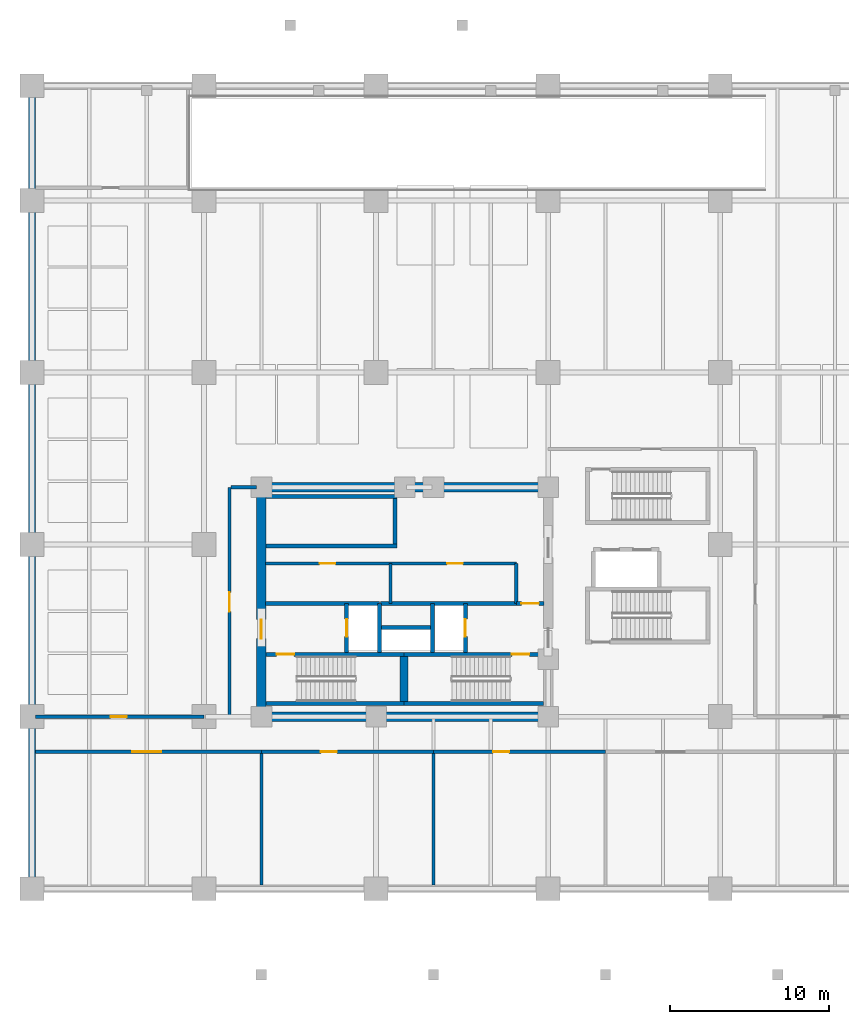
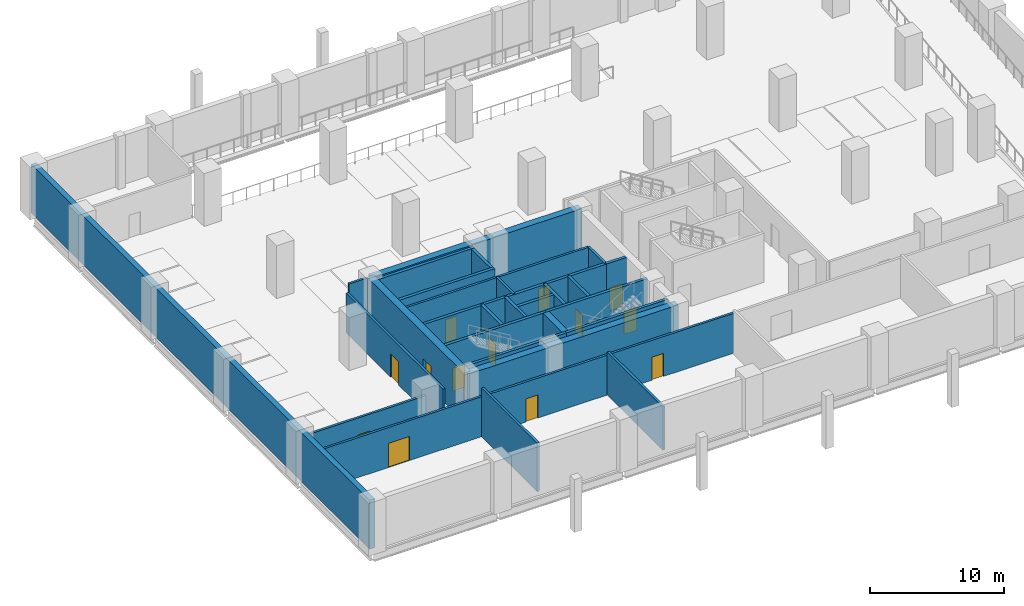
# One storey, part 3 of 8: 31 walls, 13 doors, 13 openings.
"""IFC4 building model written with IfcOpenShell, lengths in metres."""

from ifc_helpers import new_model, si_unit, direction, frame, frame_2d, origin, place, context, subcontext, project, spatial, rectangle, extrude, material, layer, layer_set, type_object, element, fill, save


model = new_model("IFC4")

# Units and contexts
model_context = context("Model", 3, precision=1e-05, world=origin(), true_north=direction((0.0, 1.0)))
body_context = subcontext(model_context, "Body", "Model", "MODEL_VIEW")
ifc_project = project(units=[si_unit("LENGTHUNIT", "METRE"), si_unit("AREAUNIT", "SQUARE_METRE"), si_unit("VOLUMEUNIT", "CUBIC_METRE"), si_unit("PLANEANGLEUNIT", "RADIAN"), si_unit("MASSUNIT", "GRAM", prefix="KILO")], contexts=[model_context])

# Site, building, storey
site_placement = place(None, origin())
site = spatial("IfcSite", under=ifc_project, at=site_placement, CompositionType="ELEMENT")
building_placement = place(site_placement, origin())
building = spatial("IfcBuilding", under=site, at=building_placement, Name="Solnavia Interchange Tower", CompositionType="ELEMENT")
storey_placement = place(building_placement, frame((0.0, 0.0, -4.800048828125)))
storey = spatial("IfcBuildingStorey", under=building, at=storey_placement, Name="B01", CompositionType="ELEMENT", Elevation=-4.800048828125)

# Wall, openings, doors
ifc_material_1 = material(Name="Concrete C40/50", Category="concrete")
ifc_layer_1 = layer(ifc_material_1, 0.199951171875)
ifc_layer_set_1 = layer_set([ifc_layer_1], Name="Concrete C40/50")
wall_type_1 = type_object("IfcWallType", Name="Wall-PlantFire-200", PredefinedType="PARTITIONING", material=ifc_layer_set_1)
wall_1_placement = place(storey_placement, frame((14.64990234375, 20.419921875, 0.0), z_axis=(0.0, 0.0, 1.0), x_axis=(1.0, 0.0, 0.0)))
wall_1 = element("IfcWall", 1, at=wall_1_placement, inside=storey, type_object=wall_type_1, Name="CSW-B01-BS1 Core shaft wall", PredefinedType="PARTITIONING", context=body_context, shape_type="SweptSolid", body=[
    extrude(rectangle(XDim=15.75, YDim=0.199951171875, at=frame_2d((7.875, 0.0))), origin(), (0.0, 0.0, 1.0), 4.43505859375),
])
opening_1_placement = place(wall_1_placement, frame((3.39990234375, 0.0, 0.0)))
opening_1 = element("IfcOpeningElement", 2, at=opening_1_placement, cuts=wall_1, Name="Opening DR-04", PredefinedType="OPENING", context=body_context, shape_type="SweptSolid", body=[
    extrude(rectangle(XDim=1.0, YDim=2.10009765625, at=frame_2d((0.5, 1.050048828125))), frame((0.0, 0.10986328125, 0.0), z_axis=(0.0, -1.0, 0.0), x_axis=(1.0, 0.0, 0.0)), (0.0, 0.0, 1.0), 0.219970703125),
])
opening_2_placement = place(wall_1_placement, frame((11.39990234375, 0.0, 0.0)))
opening_2 = element("IfcOpeningElement", 3, at=opening_2_placement, cuts=wall_1, Name="Opening DR-04", PredefinedType="OPENING", context=body_context, shape_type="SweptSolid", body=[
    extrude(rectangle(XDim=1.0, YDim=2.10009765625, at=frame_2d((0.5, 1.050048828125))), frame((0.0, 0.10986328125, 0.0), z_axis=(0.0, -1.0, 0.0), x_axis=(1.0, 0.0, 0.0)), (0.0, 0.0, 1.0), 0.219970703125),
])
ifc_material_2 = material(Name="Steel Fire-Rated Plant Door", Category="steel")
door_type_1 = type_object("IfcDoorType", Name="Door-PlantFire-1000x2100", OperationType="SINGLE_SWING_LEFT", PredefinedType="DOOR", material=ifc_material_2)
door_1_placement = place(opening_1_placement, origin())
door_1 = element("IfcDoor", 4, at=door_1_placement, inside=storey, type_object=door_type_1, Name="DR-B01-BS1 Core fire door", OperationType="SINGLE_SWING_LEFT", OverallHeight=2.10009765625, OverallWidth=1.0, PredefinedType="DOOR", context=body_context, shape_type="SweptSolid", body=[
    extrude(rectangle(XDim=1.0, YDim=2.10009765625, at=frame_2d((0.5, 1.050048828125))), frame((0.0, 0.02490234375, 0.0), z_axis=(0.0, -1.0, 0.0), x_axis=(1.0, 0.0, 0.0)), (0.0, 0.0, 1.0), 0.050048828125),
])
fill(opening_1, door_1)
door_2_placement = place(opening_2_placement, origin())
door_2 = element("IfcDoor", 5, at=door_2_placement, inside=storey, type_object=door_type_1, Name="DR-B01-BS2 Core fire door", OperationType="SINGLE_SWING_RIGHT", OverallHeight=2.10009765625, OverallWidth=1.0, PredefinedType="DOOR", context=body_context, shape_type="SweptSolid", body=[
    extrude(rectangle(XDim=1.0, YDim=2.10009765625, at=frame_2d((0.5, 1.050048828125))), frame((0.0, 0.02490234375, 0.0), z_axis=(0.0, -1.0, 0.0), x_axis=(1.0, 0.0, 0.0)), (0.0, 0.0, 1.0), 0.050048828125),
])
fill(opening_2, door_2)

# Walls
for number, where, z_axis, x_axis, name in (
    (6, (30.39990234375, 17.89990234375, 0.0), (0.0, 0.0, 1.0), (0.0, 1.0, 0.0), "CSW-B01-BS2 Core shaft wall"),
    (7, (22.5, 17.89990234375, 0.0), (0.0, 0.0, 1.0), (0.0, 1.0, 0.0), "CSW-B01-BS3 Core shaft wall"),
):
    element("IfcWall", number, at=place(storey_placement, frame(where, z_axis=z_axis, x_axis=x_axis)), inside=storey, type_object=wall_type_1, Name=name, PredefinedType="PARTITIONING", context=body_context, shape_type="SweptSolid", body=[
        extrude(rectangle(XDim=2.52001953125, YDim=0.199951171875, at=frame_2d((1.260009765625, 0.0))), origin(), (0.0, 0.0, 1.0), 4.43505859375),
    ])

# Wall, opening, door
wall_2_placement = place(storey_placement, frame((0.22900390625, 8.60009765625, 0.0), z_axis=(0.0, 0.0, 1.0), x_axis=(1.0, 0.0, 0.0)))
wall_2 = element("IfcWall", 8, at=wall_2_placement, inside=storey, type_object=wall_type_1, Name="PTW-B01-01 Interior partition wall", PredefinedType="PARTITIONING", context=body_context, shape_type="SweptSolid", body=[
    extrude(rectangle(XDim=14.1708984375, YDim=0.199951171875, at=frame_2d((7.08544921875, 0.0))), origin(), (0.0, 0.0, 1.0), 3.630126953125),
])
opening_3_placement = place(wall_2_placement, frame((6.071044921875, 0.0, 0.0)))
opening_3 = element("IfcOpeningElement", 9, at=opening_3_placement, cuts=wall_2, Name="Opening DR-05", PredefinedType="OPENING", context=body_context, shape_type="SweptSolid", body=[
    extrude(rectangle(XDim=1.800048828125, YDim=2.199951171875, at=frame_2d((0.89990234375, 1.10009765625))), frame((0.0, 0.10986328125, 0.0), z_axis=(0.0, -1.0, 0.0), x_axis=(1.0, 0.0, 0.0)), (0.0, 0.0, 1.0), 0.219970703125),
])
ifc_material_3 = material(Name="Steel Double Fire Door", Category="steel")
door_type_2 = type_object("IfcDoorType", Name="Door-PlantDouble-1800x2200", OperationType="DOUBLE_DOOR_SINGLE_SWING", PredefinedType="DOOR", material=ifc_material_3)
door_3_placement = place(opening_3_placement, origin())
door_3 = element("IfcDoor", 10, at=door_3_placement, inside=storey, type_object=door_type_2, Name="DR-B01-01 Interior room door", OperationType="DOUBLE_DOOR_SINGLE_SWING", OverallHeight=2.199951171875, OverallWidth=1.800048828125, PredefinedType="DOOR", context=body_context, shape_type="SweptSolid", body=[
    extrude(rectangle(XDim=1.800048828125, YDim=2.199951171875, at=frame_2d((0.89990234375, 1.10009765625))), frame((0.0, 0.02490234375, 0.0), z_axis=(0.0, -1.0, 0.0), x_axis=(1.0, 0.0, 0.0)), (0.0, 0.0, 1.0), 0.050048828125),
])
fill(opening_3, door_3)

# Wall
wall_3_placement = place(storey_placement, frame((14.39990234375, 0.22900390625, 0.0), z_axis=(0.0, 0.0, 1.0), x_axis=(0.0, 1.0, 0.0)))
element("IfcWall", 11, at=wall_3_placement, inside=storey, type_object=wall_type_1, Name="PTW-B01-02 Interior partition wall", PredefinedType="PARTITIONING", context=body_context, shape_type="SweptSolid", body=[
    extrude(rectangle(XDim=8.26708984375, YDim=0.199951171875, at=frame_2d((4.133544921875, 0.0))), origin(), (0.0, 0.0, 1.0), 4.43505859375),
])

# Wall, opening, door
wall_4_placement = place(storey_placement, frame((14.39990234375, 8.60009765625, 0.0), z_axis=(0.0, 0.0, 1.0), x_axis=(1.0, 0.0, 0.0)))
wall_4 = element("IfcWall", 12, at=wall_4_placement, inside=storey, type_object=wall_type_1, Name="PTW-B01-03 Interior partition wall", PredefinedType="PARTITIONING", context=body_context, shape_type="SweptSolid", body=[
    extrude(rectangle(XDim=10.800048828125, YDim=0.199951171875, at=frame_2d((5.39990234375, 0.0))), origin(), (0.0, 0.0, 1.0), 3.630126953125),
])
opening_4_placement = place(wall_4_placement, frame((3.739990234375, 0.0, 0.0)))
opening_4 = element("IfcOpeningElement", 13, at=opening_4_placement, cuts=wall_4, Name="Opening DR-04", PredefinedType="OPENING", context=body_context, shape_type="SweptSolid", body=[
    extrude(rectangle(XDim=1.0, YDim=2.10009765625, at=frame_2d((0.5, 1.050048828125))), frame((0.0, 0.10986328125, 0.0), z_axis=(0.0, -1.0, 0.0), x_axis=(1.0, 0.0, 0.0)), (0.0, 0.0, 1.0), 0.219970703125),
])
door_4_placement = place(opening_4_placement, origin())
door_4 = element("IfcDoor", 14, at=door_4_placement, inside=storey, type_object=door_type_1, Name="DR-B01-02 Interior room door", OperationType="SINGLE_SWING_RIGHT", OverallHeight=2.10009765625, OverallWidth=1.0, PredefinedType="DOOR", context=body_context, shape_type="SweptSolid", body=[
    extrude(rectangle(XDim=1.0, YDim=2.10009765625, at=frame_2d((0.5, 1.050048828125))), frame((0.0, 0.02490234375, 0.0), z_axis=(0.0, -1.0, 0.0), x_axis=(1.0, 0.0, 0.0)), (0.0, 0.0, 1.0), 0.050048828125),
])
fill(opening_4, door_4)

# Wall
wall_5_placement = place(storey_placement, frame((25.199951171875, 0.22900390625, 0.0), z_axis=(0.0, 0.0, 1.0), x_axis=(0.0, 1.0, 0.0)))
element("IfcWall", 15, at=wall_5_placement, inside=storey, type_object=wall_type_1, Name="PTW-B01-04 Interior partition wall", PredefinedType="PARTITIONING", context=body_context, shape_type="SweptSolid", body=[
    extrude(rectangle(XDim=8.26708984375, YDim=0.199951171875, at=frame_2d((4.133544921875, 0.0))), origin(), (0.0, 0.0, 1.0), 3.929931640625),
])

# Wall, opening, door
wall_6_placement = place(storey_placement, frame((25.199951171875, 8.60009765625, 0.0), z_axis=(0.0, 0.0, 1.0), x_axis=(1.0, 0.0, 0.0)))
wall_6 = element("IfcWall", 16, at=wall_6_placement, inside=storey, type_object=wall_type_1, Name="PTW-B01-05 Interior partition wall", PredefinedType="PARTITIONING", context=body_context, shape_type="SweptSolid", body=[
    extrude(rectangle(XDim=10.800048828125, YDim=0.199951171875, at=frame_2d((5.39990234375, 0.0))), origin(), (0.0, 0.0, 1.0), 3.630126953125),
])
opening_5_placement = place(wall_6_placement, frame((3.739990234375, 0.0, 0.0)))
opening_5 = element("IfcOpeningElement", 17, at=opening_5_placement, cuts=wall_6, Name="Opening DR-04", PredefinedType="OPENING", context=body_context, shape_type="SweptSolid", body=[
    extrude(rectangle(XDim=1.0, YDim=2.10009765625, at=frame_2d((0.5, 1.050048828125))), frame((0.0, 0.10986328125, 0.0), z_axis=(0.0, -1.0, 0.0), x_axis=(1.0, 0.0, 0.0)), (0.0, 0.0, 1.0), 0.219970703125),
])
door_5_placement = place(opening_5_placement, origin())
door_5 = element("IfcDoor", 18, at=door_5_placement, inside=storey, type_object=door_type_1, Name="DR-B01-03 Interior room door", OperationType="SINGLE_SWING_LEFT", OverallHeight=2.10009765625, OverallWidth=1.0, PredefinedType="DOOR", context=body_context, shape_type="SweptSolid", body=[
    extrude(rectangle(XDim=1.0, YDim=2.10009765625, at=frame_2d((0.5, 1.050048828125))), frame((0.0, 0.02490234375, 0.0), z_axis=(0.0, -1.0, 0.0), x_axis=(1.0, 0.0, 0.0)), (0.0, 0.0, 1.0), 0.050048828125),
])
fill(opening_5, door_5)

wall_7_placement = place(storey_placement, frame((0.22900390625, 10.800048828125, 0.0), z_axis=(0.0, 0.0, 1.0), x_axis=(1.0, 0.0, 0.0)))
wall_7 = element("IfcWall", 19, at=wall_7_placement, inside=storey, type_object=wall_type_1, Name="PTW-B01-12 Interior partition wall", PredefinedType="PARTITIONING", context=body_context, shape_type="SweptSolid", body=[
    extrude(rectangle(XDim=10.571044921875, YDim=0.199951171875, at=frame_2d((5.28564453125, 0.0))), origin(), (0.0, 0.0, 1.0), 3.630126953125),
])
opening_6_placement = place(wall_7_placement, frame((4.7109375, 0.0, 0.0)))
opening_6 = element("IfcOpeningElement", 20, at=opening_6_placement, cuts=wall_7, Name="Opening DR-04", PredefinedType="OPENING", context=body_context, shape_type="SweptSolid", body=[
    extrude(rectangle(XDim=1.0, YDim=2.10009765625, at=frame_2d((0.5, 1.050048828125))), frame((0.0, 0.10986328125, 0.0), z_axis=(0.0, -1.0, 0.0), x_axis=(1.0, 0.0, 0.0)), (0.0, 0.0, 1.0), 0.219970703125),
])
door_6_placement = place(opening_6_placement, origin())
door_6 = element("IfcDoor", 21, at=door_6_placement, inside=storey, type_object=door_type_1, Name="DR-B01-07 Interior room door", OperationType="SINGLE_SWING_LEFT", OverallHeight=2.10009765625, OverallWidth=1.0, PredefinedType="DOOR", context=body_context, shape_type="SweptSolid", body=[
    extrude(rectangle(XDim=1.0, YDim=2.10009765625, at=frame_2d((0.5, 1.050048828125))), frame((0.0, 0.02490234375, 0.0), z_axis=(0.0, -1.0, 0.0), x_axis=(1.0, 0.0, 0.0)), (0.0, 0.0, 1.0), 0.050048828125),
])
fill(opening_6, door_6)

wall_8_placement = place(storey_placement, frame((12.39990234375, 10.800048828125, 0.0), z_axis=(0.0, 0.0, 1.0), x_axis=(0.0, 1.0, 0.0)))
wall_8 = element("IfcWall", 22, at=wall_8_placement, inside=storey, type_object=wall_type_1, Name="PTW-B01-13 Interior partition wall", PredefinedType="PARTITIONING", context=body_context, shape_type="SweptSolid", body=[
    extrude(rectangle(XDim=14.39990234375, YDim=0.199951171875, at=frame_2d((7.199951171875, 0.0))), origin(), (0.0, 0.0, 1.0), 3.630126953125),
])
opening_7_placement = place(wall_8_placement, frame((6.60009765625, 0.0, 0.0)))
opening_7 = element("IfcOpeningElement", 23, at=opening_7_placement, cuts=wall_8, Name="Opening DR-02", PredefinedType="OPENING", context=body_context, shape_type="SweptSolid", body=[
    extrude(rectangle(XDim=1.199951171875, YDim=2.10009765625, at=frame_2d((0.60009765625, 1.050048828125))), frame((0.0, 0.10986328125, 0.0), z_axis=(0.0, -1.0, 0.0), x_axis=(1.0, 0.0, 0.0)), (0.0, 0.0, 1.0), 0.219970703125),
])
ifc_material_4 = material(Name="Steel Fire-Rated Vision-Panel Door", Category="steel")
door_type_3 = type_object("IfcDoorType", Name="Door-LobbyFire-1200x2100", OperationType="SINGLE_SWING_RIGHT", PredefinedType="DOOR", material=ifc_material_4)
door_7_placement = place(opening_7_placement, origin())
door_7 = element("IfcDoor", 24, at=door_7_placement, inside=storey, type_object=door_type_3, Name="DR-B01-08 Interior room door", OperationType="SINGLE_SWING_RIGHT", OverallHeight=2.10009765625, OverallWidth=1.199951171875, PredefinedType="DOOR", context=body_context, shape_type="SweptSolid", body=[
    extrude(rectangle(XDim=1.199951171875, YDim=2.10009765625, at=frame_2d((0.60009765625, 1.050048828125))), frame((0.0, 0.02490234375, 0.0), z_axis=(0.0, -1.0, 0.0), x_axis=(1.0, 0.0, 0.0)), (0.0, 0.0, 1.0), 0.050048828125),
])
fill(opening_7, door_7)

# Walls
wall_9_placement = place(storey_placement, frame((12.50390625, 25.199951171875, 0.0), z_axis=(0.0, 0.0, 1.0), x_axis=(1.0, 0.0, 0.0)))
element("IfcWall", 25, at=wall_9_placement, inside=storey, type_object=wall_type_1, Name="PTW-B01-14 Interior partition wall", PredefinedType="PARTITIONING", context=body_context, shape_type="SweptSolid", body=[
    extrude(rectangle(XDim=1.592041015625, YDim=0.199951171875, at=frame_2d((0.7958984375, 0.0))), origin(), (0.0, 0.0, 1.0), 4.43505859375),
])
ifc_layer_2 = layer(ifc_material_1, 0.449951171875)
ifc_layer_set_2 = layer_set([ifc_layer_2], Name="Concrete C40/50")
wall_type_2 = type_object("IfcWallType", Name="Wall-Retaining-450", PredefinedType="SOLIDWALL", material=ifc_layer_set_2)
wall_10_placement = place(storey_placement, frame((0.0, 50.39990234375, 0.0), z_axis=(0.0, 0.0, 1.0), x_axis=(0.0, -1.0, 0.0)))
element("IfcWall", 26, at=wall_10_placement, inside=storey, type_object=wall_type_2, Name="RTW-B01-04 Basement perimeter retaining wall", PredefinedType="SOLIDWALL", context=body_context, shape_type="SweptSolid", body=[
    extrude(rectangle(XDim=50.39990234375, YDim=0.449951171875, at=frame_2d((25.199951171875, 0.0))), origin(), (0.0, 0.0, 1.0), 4.449951171875),
])
ifc_layer_3 = layer(ifc_material_1, 0.25)
ifc_layer_set_3 = layer_set([ifc_layer_3], Name="Concrete C40/50")
wall_type_3 = type_object("IfcWallType", Name="Wall-ShaftCore-250", PredefinedType="SHEAR", material=ifc_layer_set_3)
wall_11_placement = place(storey_placement, frame((14.699951171875, 11.625, 0.0), z_axis=(0.0, 0.0, 1.0), x_axis=(1.0, 0.0, 0.0)))
element("IfcWall", 27, at=wall_11_placement, inside=storey, type_object=wall_type_3, Name="SHW-B01-ST1S Core shear wall", PredefinedType="SHEAR", context=body_context, shape_type="SweptSolid", body=[
    extrude(rectangle(XDim=8.650146484375, YDim=0.25, at=frame_2d((4.3251953125, 0.0))), origin(), (0.0, 0.0, 1.0), 4.449951171875),
])

# Wall, opening, door
wall_12_placement = place(storey_placement, frame((14.699951171875, 14.715087890625, 0.0), z_axis=(0.0, 0.0, 1.0), x_axis=(1.0, 0.0, 0.0)))
wall_12 = element("IfcWall", 28, at=wall_12_placement, inside=storey, type_object=wall_type_3, Name="SHW-B01-ST1N Core shear wall", PredefinedType="SHEAR", context=body_context, shape_type="SweptSolid", body=[
    extrude(rectangle(XDim=8.650146484375, YDim=0.25, at=frame_2d((4.3251953125, 0.0))), origin(), (0.0, 0.0, 1.0), 4.449951171875),
])
opening_8_placement = place(wall_12_placement, frame((0.655029296875, 0.0, 0.0)))
opening_8 = element("IfcOpeningElement", 29, at=opening_8_placement, cuts=wall_12, Name="Opening DR-01", PredefinedType="OPENING", context=body_context, shape_type="SweptSolid", body=[
    extrude(rectangle(XDim=1.10009765625, YDim=2.10009765625, at=frame_2d((0.550048828125, 1.050048828125))), frame((0.0, 0.135009765625, 0.0), z_axis=(0.0, -1.0, 0.0), x_axis=(1.0, 0.0, 0.0)), (0.0, 0.0, 1.0), 0.27001953125),
])
ifc_material_5 = material(Name="Steel Fire-Rated Leaf & Frame", Category="steel")
door_type_4 = type_object("IfcDoorType", Name="Door-StairFire-1100x2100", OperationType="SINGLE_SWING_LEFT", PredefinedType="DOOR", material=ifc_material_5)
door_8_placement = place(opening_8_placement, origin())
door_8 = element("IfcDoor", 30, at=door_8_placement, inside=storey, type_object=door_type_4, Name="DR-B01-ST1 Core fire door", OperationType="SINGLE_SWING_LEFT", OverallHeight=2.10009765625, OverallWidth=1.10009765625, PredefinedType="DOOR", context=body_context, shape_type="SweptSolid", body=[
    extrude(rectangle(XDim=1.10009765625, YDim=2.10009765625, at=frame_2d((0.550048828125, 1.050048828125))), frame((0.0, 0.02490234375, 0.0), z_axis=(0.0, -1.0, 0.0), x_axis=(1.0, 0.0, 0.0)), (0.0, 0.0, 1.0), 0.050048828125),
])
fill(opening_8, door_8)

# Wall
wall_13_placement = place(storey_placement, frame((23.35009765625, 11.625, 0.0), z_axis=(0.0, 0.0, 1.0), x_axis=(1.0, 0.0, 0.0)))
element("IfcWall", 31, at=wall_13_placement, inside=storey, type_object=wall_type_3, Name="SHW-B01-ST2S Core shear wall", PredefinedType="SHEAR", context=body_context, shape_type="SweptSolid", body=[
    extrude(rectangle(XDim=8.75, YDim=0.25, at=frame_2d((4.375, 0.0))), origin(), (0.0, 0.0, 1.0), 4.449951171875),
])

# Wall, opening, door
wall_14_placement = place(storey_placement, frame((23.35009765625, 14.715087890625, 0.0), z_axis=(0.0, 0.0, 1.0), x_axis=(1.0, 0.0, 0.0)))
wall_14 = element("IfcWall", 32, at=wall_14_placement, inside=storey, type_object=wall_type_3, Name="SHW-B01-ST2N Core shear wall", PredefinedType="SHEAR", context=body_context, shape_type="SweptSolid", body=[
    extrude(rectangle(XDim=8.75, YDim=0.25, at=frame_2d((4.375, 0.0))), origin(), (0.0, 0.0, 1.0), 4.449951171875),
])
opening_9_placement = place(wall_14_placement, frame((6.77490234375, 0.0, 0.0)))
opening_9 = element("IfcOpeningElement", 33, at=opening_9_placement, cuts=wall_14, Name="Opening DR-01", PredefinedType="OPENING", context=body_context, shape_type="SweptSolid", body=[
    extrude(rectangle(XDim=1.10009765625, YDim=2.10009765625, at=frame_2d((0.550048828125, 1.050048828125))), frame((0.0, 0.135009765625, 0.0), z_axis=(0.0, -1.0, 0.0), x_axis=(1.0, 0.0, 0.0)), (0.0, 0.0, 1.0), 0.27001953125),
])
door_9_placement = place(opening_9_placement, origin())
door_9 = element("IfcDoor", 34, at=door_9_placement, inside=storey, type_object=door_type_4, Name="DR-B01-ST2 Core fire door", OperationType="SINGLE_SWING_LEFT", OverallHeight=2.10009765625, OverallWidth=1.10009765625, PredefinedType="DOOR", context=body_context, shape_type="SweptSolid", body=[
    extrude(rectangle(XDim=1.10009765625, YDim=2.10009765625, at=frame_2d((0.550048828125, 1.050048828125))), frame((0.0, 0.02490234375, 0.0), z_axis=(0.0, -1.0, 0.0), x_axis=(1.0, 0.0, 0.0)), (0.0, 0.0, 1.0), 0.050048828125),
])
fill(opening_9, door_9)

# Walls
for number, where, z_axis, x_axis, name in (
    (35, (14.699951171875, 21.52490234375, 0.0), (0.0, 0.0, 1.0), (1.0, 0.0, 0.0), "SHW-B01-ST3S Core shear wall"),
    (36, (14.699951171875, 24.614990234375, 0.0), (0.0, 0.0, 1.0), (1.0, 0.0, 0.0), "SHW-B01-ST3N Core shear wall"),
):
    element("IfcWall", number, at=place(storey_placement, frame(where, z_axis=z_axis, x_axis=x_axis)), inside=storey, type_object=wall_type_3, Name=name, PredefinedType="SHEAR", context=body_context, shape_type="SweptSolid", body=[
        extrude(rectangle(XDim=8.199951171875, YDim=0.25, at=frame_2d((4.10009765625, 0.0))), origin(), (0.0, 0.0, 1.0), 4.449951171875),
    ])
wall_15_placement = place(storey_placement, frame((22.77490234375, 21.64990234375, 0.0), z_axis=(0.0, 0.0, 1.0), x_axis=(0.0, 1.0, 0.0)))
element("IfcWall", 37, at=wall_15_placement, inside=storey, type_object=wall_type_3, Name="SHW-B01-ST3E Core shear wall", PredefinedType="SHEAR", context=body_context, shape_type="SweptSolid", body=[
    extrude(rectangle(XDim=2.840087890625, YDim=0.25, at=frame_2d((1.419921875, 0.0))), origin(), (0.0, 0.0, 1.0), 4.449951171875),
])
ifc_layer_4 = layer(ifc_material_1, 0.25)
ifc_layer_set_4 = layer_set([ifc_layer_4], Name="Concrete C40/50")
wall_type_4 = type_object("IfcWallType", Name="Wall-ShaftPart-250", PredefinedType="PARTITIONING", material=ifc_layer_set_4)
wall_16_placement = place(storey_placement, frame((14.64990234375, 17.89990234375, 0.0), z_axis=(0.0, 0.0, 1.0), x_axis=(1.0, 0.0, 0.0)))
element("IfcWall", 38, at=wall_16_placement, inside=storey, type_object=wall_type_4, Name="SHW-B01-FFLW-N Core shaft wall", PredefinedType="PARTITIONING", context=body_context, shape_type="SweptSolid", body=[
    extrude(rectangle(XDim=7.150146484375, YDim=0.25, at=frame_2d((3.5751953125, 0.0))), origin(), (0.0, 0.0, 1.0), 4.43505859375),
])

# Wall, opening, door
wall_17_placement = place(storey_placement, frame((19.75, 14.840087890625, 0.0), z_axis=(0.0, 0.0, 1.0), x_axis=(0.0, 1.0, 0.0)))
wall_17 = element("IfcWall", 39, at=wall_17_placement, inside=storey, type_object=wall_type_4, Name="SHW-B01-FFL1-W Core shaft wall", PredefinedType="PARTITIONING", context=body_context, shape_type="SweptSolid", body=[
    extrude(rectangle(XDim=3.059814453125, YDim=0.25, at=frame_2d((1.52978515625, 0.0))), origin(), (0.0, 0.0, 1.0), 4.43505859375),
])
opening_10_placement = place(wall_17_placement, frame((0.97998046875, 0.0, 0.0)))
opening_10 = element("IfcOpeningElement", 40, at=opening_10_placement, cuts=wall_17, Name="Opening LD-01", PredefinedType="OPENING", context=body_context, shape_type="SweptSolid", body=[
    extrude(rectangle(XDim=1.10009765625, YDim=2.10009765625, at=frame_2d((0.550048828125, 1.050048828125))), frame((0.0, 0.135009765625, 0.0), z_axis=(0.0, -1.0, 0.0), x_axis=(1.0, 0.0, 0.0)), (0.0, 0.0, 1.0), 0.27001953125),
])
ifc_material_6 = material(Name="Brushed Stainless Steel Sliding Door", Category="steel")
door_type_5 = type_object("IfcDoorType", Name="Door-LiftLanding-1100x2100", OperationType="SLIDING_TO_LEFT", PredefinedType="DOOR", material=ifc_material_6)
door_10_placement = place(opening_10_placement, origin())
door_10 = element("IfcDoor", 41, at=door_10_placement, inside=storey, type_object=door_type_5, Name="LD-B01-FFL1 Lift landing sliding door", OperationType="SLIDING_TO_LEFT", OverallHeight=2.10009765625, OverallWidth=1.10009765625, PredefinedType="DOOR", context=body_context, shape_type="SweptSolid", body=[
    extrude(rectangle(XDim=1.10009765625, YDim=2.10009765625, at=frame_2d((0.550048828125, 1.050048828125))), frame((0.0, 0.02490234375, 0.0), z_axis=(0.0, -1.0, 0.0), x_axis=(1.0, 0.0, 0.0)), (0.0, 0.0, 1.0), 0.050048828125),
])
fill(opening_10, door_10)

# Walls
wall_18_placement = place(storey_placement, frame((21.800048828125, 14.840087890625, 0.0), z_axis=(0.0, 0.0, 1.0), x_axis=(0.0, 1.0, 0.0)))
element("IfcWall", 42, at=wall_18_placement, inside=storey, type_object=wall_type_4, Name="SHW-B01-FFL1-E Core shaft wall", PredefinedType="PARTITIONING", context=body_context, shape_type="SweptSolid", body=[
    extrude(rectangle(XDim=3.059814453125, YDim=0.25, at=frame_2d((1.52978515625, 0.0))), origin(), (0.0, 0.0, 1.0), 4.43505859375),
])
wall_19_placement = place(storey_placement, frame((21.8798828125, 17.89990234375, 0.0), z_axis=(0.0, 0.0, 1.0), x_axis=(1.0, 0.0, 0.0)))
element("IfcWall", 43, at=wall_19_placement, inside=storey, type_object=wall_type_4, Name="SHW-B01-FFLE-N1 Core shaft wall", PredefinedType="PARTITIONING", context=body_context, shape_type="SweptSolid", body=[
    extrude(rectangle(XDim=8.52001953125, YDim=0.25, at=frame_2d((4.260009765625, 0.0))), origin(), (0.0, 0.0, 1.0), 4.43505859375),
])

# Wall, opening, door
wall_20_placement = place(storey_placement, frame((30.39990234375, 17.89990234375, 0.0), z_axis=(0.0, 0.0, 1.0), x_axis=(1.0, 0.0, 0.0)))
wall_20 = element("IfcWall", 44, at=wall_20_placement, inside=storey, type_object=wall_type_4, Name="SHW-B01-FFLE-N2 Core shaft wall", PredefinedType="PARTITIONING", context=body_context, shape_type="SweptSolid", body=[
    extrude(rectangle(XDim=1.75, YDim=0.25, at=frame_2d((0.875, 0.0))), origin(), (0.0, 0.0, 1.0), 4.43505859375),
])
opening_11_placement = place(wall_20_placement, frame((0.320068359375, 0.0, 0.0)))
opening_11 = element("IfcOpeningElement", 45, at=opening_11_placement, cuts=wall_20, Name="Opening DR-01", PredefinedType="OPENING", context=body_context, shape_type="SweptSolid", body=[
    extrude(rectangle(XDim=1.10009765625, YDim=2.10009765625, at=frame_2d((0.550048828125, 1.050048828125))), frame((0.0, 0.135009765625, 0.0), z_axis=(0.0, -1.0, 0.0), x_axis=(1.0, 0.0, 0.0)), (0.0, 0.0, 1.0), 0.27001953125),
])
door_11_placement = place(opening_11_placement, origin())
door_11 = element("IfcDoor", 46, at=door_11_placement, inside=storey, type_object=door_type_4, Name="DR-B01-LLC Core fire door", OperationType="SINGLE_SWING_LEFT", OverallHeight=2.10009765625, OverallWidth=1.10009765625, PredefinedType="DOOR", context=body_context, shape_type="SweptSolid", body=[
    extrude(rectangle(XDim=1.10009765625, YDim=2.10009765625, at=frame_2d((0.550048828125, 1.050048828125))), frame((0.0, 0.02490234375, 0.0), z_axis=(0.0, -1.0, 0.0), x_axis=(1.0, 0.0, 0.0)), (0.0, 0.0, 1.0), 0.050048828125),
])
fill(opening_11, door_11)

# Wall
wall_21_placement = place(storey_placement, frame((25.14990234375, 14.840087890625, 0.0), z_axis=(0.0, 0.0, 1.0), x_axis=(0.0, 1.0, 0.0)))
element("IfcWall", 47, at=wall_21_placement, inside=storey, type_object=wall_type_4, Name="SHW-B01-FFL2-W Core shaft wall", PredefinedType="PARTITIONING", context=body_context, shape_type="SweptSolid", body=[
    extrude(rectangle(XDim=3.059814453125, YDim=0.25, at=frame_2d((1.52978515625, 0.0))), origin(), (0.0, 0.0, 1.0), 4.43505859375),
])

# Wall, opening, door
wall_22_placement = place(storey_placement, frame((27.199951171875, 14.840087890625, 0.0), z_axis=(0.0, 0.0, 1.0), x_axis=(0.0, 1.0, 0.0)))
wall_22 = element("IfcWall", 48, at=wall_22_placement, inside=storey, type_object=wall_type_4, Name="SHW-B01-FFL2-E Core shaft wall", PredefinedType="PARTITIONING", context=body_context, shape_type="SweptSolid", body=[
    extrude(rectangle(XDim=3.059814453125, YDim=0.25, at=frame_2d((1.52978515625, 0.0))), origin(), (0.0, 0.0, 1.0), 4.43505859375),
])
opening_12_placement = place(wall_22_placement, frame((0.97998046875, 0.0, 0.0)))
opening_12 = element("IfcOpeningElement", 49, at=opening_12_placement, cuts=wall_22, Name="Opening LD-01", PredefinedType="OPENING", context=body_context, shape_type="SweptSolid", body=[
    extrude(rectangle(XDim=1.10009765625, YDim=2.10009765625, at=frame_2d((0.550048828125, 1.050048828125))), frame((0.0, 0.135009765625, 0.0), z_axis=(0.0, -1.0, 0.0), x_axis=(1.0, 0.0, 0.0)), (0.0, 0.0, 1.0), 0.27001953125),
])
door_12_placement = place(opening_12_placement, origin())
door_12 = element("IfcDoor", 50, at=door_12_placement, inside=storey, type_object=door_type_5, Name="LD-B01-FFL2 Lift landing sliding door", OperationType="SLIDING_TO_LEFT", OverallHeight=2.10009765625, OverallWidth=1.10009765625, PredefinedType="DOOR", context=body_context, shape_type="SweptSolid", body=[
    extrude(rectangle(XDim=1.10009765625, YDim=2.10009765625, at=frame_2d((0.550048828125, 1.050048828125))), frame((0.0, 0.02490234375, 0.0), z_axis=(0.0, -1.0, 0.0), x_axis=(1.0, 0.0, 0.0)), (0.0, 0.0, 1.0), 0.050048828125),
])
fill(opening_12, door_12)

# Walls
wall_23_placement = place(storey_placement, frame((21.800048828125, 16.39990234375, 0.0), z_axis=(0.0, 0.0, 1.0), x_axis=(1.0, 0.0, 0.0)))
element("IfcWall", 51, at=wall_23_placement, inside=storey, type_object=wall_type_4, Name="SHW-B01-MEP-N Core shaft wall", PredefinedType="PARTITIONING", context=body_context, shape_type="SweptSolid", body=[
    extrude(rectangle(XDim=3.349853515625, YDim=0.25, at=frame_2d((1.6748046875, 0.0))), origin(), (0.0, 0.0, 1.0), 4.43505859375),
])
ifc_material_7 = material(Name="Concrete C60/75", Category="concrete")
ifc_layer_5 = layer(ifc_material_7, 0.5)
ifc_layer_set_5 = layer_set([ifc_layer_5], Name="Concrete C60/75")
wall_type_5 = type_object("IfcWallType", Name="Wall-ShearCore-500", PredefinedType="SHEAR", material=ifc_layer_set_5)
wall_24_placement = place(storey_placement, frame((23.35009765625, 11.75, 0.0), z_axis=(0.0, 0.0, 1.0), x_axis=(0.0, 1.0, 0.0)))
element("IfcWall", 52, at=wall_24_placement, inside=storey, type_object=wall_type_5, Name="SHW-B01-ST12M Core shear wall", PredefinedType="SHEAR", context=body_context, shape_type="SweptSolid", body=[
    extrude(rectangle(XDim=2.840087890625, YDim=0.5, at=frame_2d((1.419921875, 0.0))), origin(), (0.0, 0.0, 1.0), 4.449951171875),
])
ifc_layer_6 = layer(ifc_material_7, 0.60009765625)
ifc_layer_set_6 = layer_set([ifc_layer_6], Name="Concrete C60/75")
wall_type_6 = type_object("IfcWallType", Name="Wall-ShearCore-600", PredefinedType="SHEAR", material=ifc_layer_set_6)
for number, where, z_axis, x_axis, name in (
    (53, (14.39990234375, 10.800048828125, 0.0), (0.0, 0.0, 1.0), (1.0, 0.0, 0.0), "CRW-B01-S Core shear wall"),
    (54, (14.39990234375, 25.199951171875, 0.0), (0.0, 0.0, 1.0), (1.0, 0.0, 0.0), "CRW-B01-N Core shear wall"),
):
    element("IfcWall", number, at=place(storey_placement, frame(where, z_axis=z_axis, x_axis=x_axis)), inside=storey, type_object=wall_type_6, Name=name, PredefinedType="SHEAR", context=body_context, shape_type="SweptSolid", body=[
        extrude(rectangle(XDim=18.0, YDim=0.60009765625, at=frame_2d((9.0, 0.0))), origin(), (0.0, 0.0, 1.0), 4.449951171875),
    ])

# Wall, opening, door
wall_25_placement = place(storey_placement, frame((14.39990234375, 10.800048828125, 0.0), z_axis=(0.0, 0.0, 1.0), x_axis=(0.0, 1.0, 0.0)))
wall_25 = element("IfcWall", 55, at=wall_25_placement, inside=storey, type_object=wall_type_6, Name="CRW-B01-W Core shear wall", PredefinedType="SHEAR", context=body_context, shape_type="SweptSolid", body=[
    extrude(rectangle(XDim=14.39990234375, YDim=0.60009765625, at=frame_2d((7.199951171875, 0.0))), origin(), (0.0, 0.0, 1.0), 4.449951171875),
])
opening_13_placement = place(wall_25_placement, frame((4.89990234375, 0.0, 0.0)))
opening_13 = element("IfcOpeningElement", 56, at=opening_13_placement, cuts=wall_25, Name="Opening DR-02", PredefinedType="OPENING", context=body_context, shape_type="SweptSolid", body=[
    extrude(rectangle(XDim=1.199951171875, YDim=2.10009765625, at=frame_2d((0.60009765625, 1.050048828125))), frame((0.0, 0.31005859375, 0.0), z_axis=(0.0, -1.0, 0.0), x_axis=(1.0, 0.0, 0.0)), (0.0, 0.0, 1.0), 0.6201171875),
])
door_13_placement = place(opening_13_placement, origin())
door_13 = element("IfcDoor", 57, at=door_13_placement, inside=storey, type_object=door_type_3, Name="DR-B01-FFL1W Core fire door", OperationType="SINGLE_SWING_RIGHT", OverallHeight=2.10009765625, OverallWidth=1.199951171875, PredefinedType="DOOR", context=body_context, shape_type="SweptSolid", body=[
    extrude(rectangle(XDim=1.199951171875, YDim=2.10009765625, at=frame_2d((0.60009765625, 1.050048828125))), frame((0.0, 0.02490234375, 0.0), z_axis=(0.0, -1.0, 0.0), x_axis=(1.0, 0.0, 0.0)), (0.0, 0.0, 1.0), 0.050048828125),
])
fill(opening_13, door_13)

save(model, "model.ifc")
